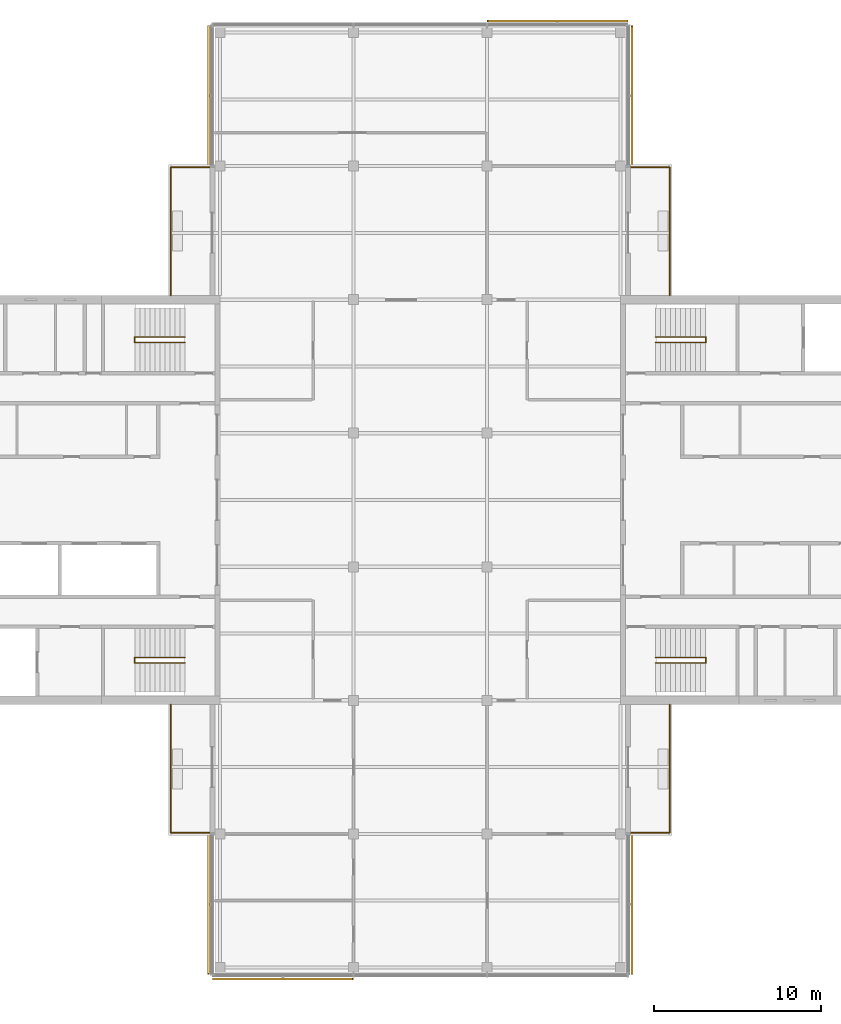
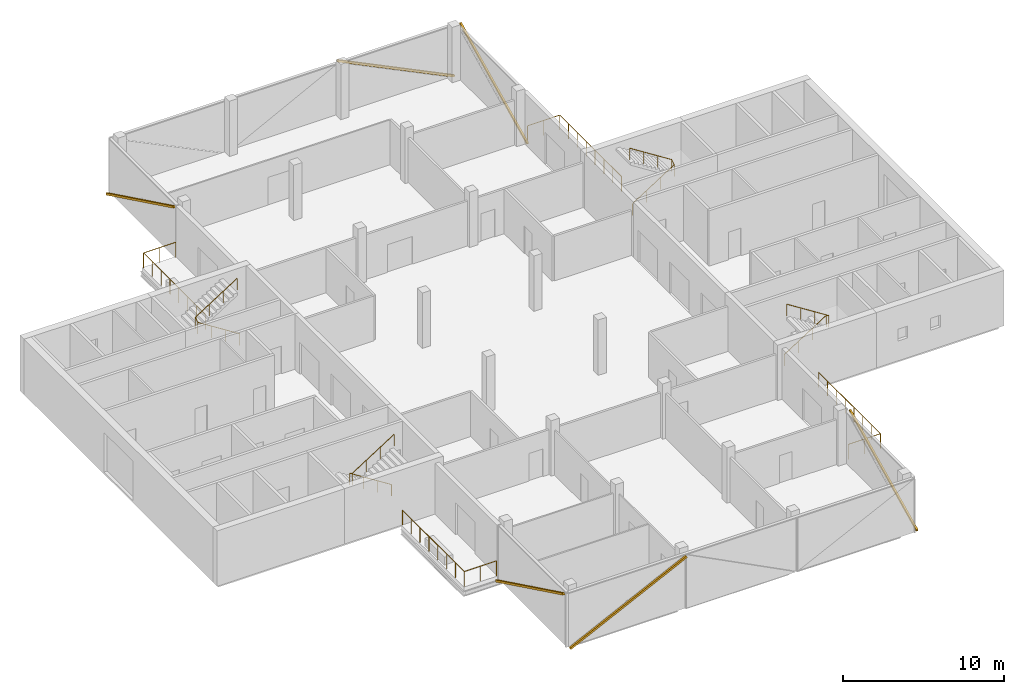
# One storey, part 11 of 11: 8 railings, 6 shading devices, 6 elements without a shape of their own.
"""IFC4 building model written with IfcOpenShell, lengths in metres."""

from ifc_helpers import new_model, si_unit, direction, frame, origin, origin_2d, place, context, subcontext, project, spatial, rectangle, circle, extrude, material, material_profile, profile_set, type_object, element, aggregate, save


model = new_model("IFC4")

# Units and contexts
model_context = context("Model", 3, precision=1e-05, world=origin(), true_north=direction((0.0, 1.0)))
body_context = subcontext(model_context, "Body", "Model", "MODEL_VIEW")
ifc_project = project(units=[si_unit("LENGTHUNIT", "METRE"), si_unit("AREAUNIT", "SQUARE_METRE"), si_unit("VOLUMEUNIT", "CUBIC_METRE"), si_unit("PLANEANGLEUNIT", "RADIAN"), si_unit("MASSUNIT", "GRAM", prefix="KILO")], contexts=[model_context])

# Site, building, storey
site_placement = place(None, origin())
site = spatial("IfcSite", under=ifc_project, at=site_placement, CompositionType="ELEMENT")
building_placement = place(site_placement, origin())
building = spatial("IfcBuilding", under=site, at=building_placement, Name="Crosswind Convention Tower", CompositionType="ELEMENT")
storey_placement = place(building_placement, frame((0.0, 0.0, 344.89990234375)))
storey = spatial("IfcBuildingStorey", under=building, at=storey_placement, Name="L75", CompositionType="ELEMENT", Elevation=344.89990234375)

# Railings
ifc_material_1 = material(Name="Steel and laminated glass balustrade", Category="steel")
railing_type_1 = type_object("IfcRailingType", Name="BALCONY BALUSTRADE 1150", PredefinedType="BALUSTRADE", material=ifc_material_1)
railing_1_placement = place(storey_placement, frame((139.93994140625, 112.25, 0.0)))
element("IfcRailing", 1, at=railing_1_placement, inside=storey, type_object=railing_type_1, Name="R11 winter garden balustrade L75 N-E.1-1", PredefinedType="BALUSTRADE", context=body_context, shape_type="SweptSolid", body=[
    extrude(circle(Radius=0.02392578125, at=origin_2d()), frame((0.0, 0.0, 1.1259765625), z_axis=(0.0, 1.0, 0.0), x_axis=(-1.0, 0.0, 0.0)), (0.0, 0.0, 1.0), 7.68994140625),
    extrude(circle(Radius=0.02392578125, at=origin_2d()), frame((0.0, 7.68994140625, 1.1259765625), z_axis=(-1.0, 0.0, 0.0), x_axis=(0.0, -1.0, 0.0)), (0.0, 0.0, 1.0), 2.31884765625),
    extrude(circle(Radius=0.02099609375, at=origin_2d()), origin(), (0.0, 0.0, 1.0), 1.101806640625),
    extrude(circle(Radius=0.02099609375, at=origin_2d()), frame((0.0, 1.0986328125, 0.0)), (0.0, 0.0, 1.0), 1.101806640625),
    extrude(circle(Radius=0.02099609375, at=origin_2d()), frame((0.0, 2.197021484375, 0.0)), (0.0, 0.0, 1.0), 1.101806640625),
    extrude(circle(Radius=0.02099609375, at=origin_2d()), frame((0.0, 3.295654296875, 0.0)), (0.0, 0.0, 1.0), 1.101806640625),
    extrude(circle(Radius=0.02099609375, at=origin_2d()), frame((0.0, 4.394287109375, 0.0)), (0.0, 0.0, 1.0), 1.101806640625),
    extrude(circle(Radius=0.02099609375, at=origin_2d()), frame((0.0, 5.492919921875, 0.0)), (0.0, 0.0, 1.0), 1.101806640625),
    extrude(circle(Radius=0.02099609375, at=origin_2d()), frame((0.0, 6.59130859375, 0.0)), (0.0, 0.0, 1.0), 1.101806640625),
    extrude(circle(Radius=0.02099609375, at=origin_2d()), frame((0.0, 7.68994140625, 0.0)), (0.0, 0.0, 1.0), 1.101806640625),
    extrude(circle(Radius=0.02099609375, at=origin_2d()), frame((-1.159423828125, 7.68994140625, 0.0)), (0.0, 0.0, 1.0), 1.101806640625),
    extrude(circle(Radius=0.02099609375, at=origin_2d()), frame((-2.31884765625, 7.68994140625, 0.0)), (0.0, 0.0, 1.0), 1.101806640625),
])
railing_2_placement = place(storey_placement, frame((110.06005859375, 112.25, 0.0)))
element("IfcRailing", 2, at=railing_2_placement, inside=storey, type_object=railing_type_1, Name="R11 winter garden balustrade L75 N-W.1-2", PredefinedType="BALUSTRADE", context=body_context, shape_type="SweptSolid", body=[
    extrude(circle(Radius=0.02392578125, at=origin_2d()), frame((0.0, 0.0, 1.1259765625), z_axis=(0.0, 1.0, 0.0), x_axis=(-1.0, 0.0, 0.0)), (0.0, 0.0, 1.0), 7.68994140625),
    extrude(circle(Radius=0.02392578125, at=origin_2d()), frame((0.0, 7.68994140625, 1.1259765625), z_axis=(1.0, 0.0, 0.0), x_axis=(0.0, 1.0, 0.0)), (0.0, 0.0, 1.0), 2.31884765625),
    extrude(circle(Radius=0.02099609375, at=origin_2d()), origin(), (0.0, 0.0, 1.0), 1.101806640625),
    extrude(circle(Radius=0.02099609375, at=origin_2d()), frame((0.0, 1.0986328125, 0.0)), (0.0, 0.0, 1.0), 1.101806640625),
    extrude(circle(Radius=0.02099609375, at=origin_2d()), frame((0.0, 2.197021484375, 0.0)), (0.0, 0.0, 1.0), 1.101806640625),
    extrude(circle(Radius=0.02099609375, at=origin_2d()), frame((0.0, 3.295654296875, 0.0)), (0.0, 0.0, 1.0), 1.101806640625),
    extrude(circle(Radius=0.02099609375, at=origin_2d()), frame((0.0, 4.394287109375, 0.0)), (0.0, 0.0, 1.0), 1.101806640625),
    extrude(circle(Radius=0.02099609375, at=origin_2d()), frame((0.0, 5.492919921875, 0.0)), (0.0, 0.0, 1.0), 1.101806640625),
    extrude(circle(Radius=0.02099609375, at=origin_2d()), frame((0.0, 6.59130859375, 0.0)), (0.0, 0.0, 1.0), 1.101806640625),
    extrude(circle(Radius=0.02099609375, at=origin_2d()), frame((0.0, 7.68994140625, 0.0)), (0.0, 0.0, 1.0), 1.101806640625),
    extrude(circle(Radius=0.02099609375, at=origin_2d()), frame((1.159423828125, 7.68994140625, 0.0)), (0.0, 0.0, 1.0), 1.101806640625),
    extrude(circle(Radius=0.02099609375, at=origin_2d()), frame((2.31884765625, 7.68994140625, 0.0)), (0.0, 0.0, 1.0), 1.101806640625),
])
railing_3_placement = place(storey_placement, frame((110.06005859375, 87.75, 0.0)))
element("IfcRailing", 3, at=railing_3_placement, inside=storey, type_object=railing_type_1, Name="R11 winter garden balustrade L75 S-W.1-1", PredefinedType="BALUSTRADE", context=body_context, shape_type="SweptSolid", body=[
    extrude(circle(Radius=0.02392578125, at=origin_2d()), frame((0.0, 0.0, 1.1259765625), z_axis=(0.0, -1.0, 0.0), x_axis=(1.0, 0.0, 0.0)), (0.0, 0.0, 1.0), 7.68994140625),
    extrude(circle(Radius=0.02392578125, at=origin_2d()), frame((0.0, -7.68994140625, 1.1259765625), z_axis=(1.0, 0.0, 0.0), x_axis=(0.0, 1.0, 0.0)), (0.0, 0.0, 1.0), 2.31884765625),
    extrude(circle(Radius=0.02099609375, at=origin_2d()), origin(), (0.0, 0.0, 1.0), 1.101806640625),
    extrude(circle(Radius=0.02099609375, at=origin_2d()), frame((0.0, -1.0986328125, 0.0)), (0.0, 0.0, 1.0), 1.101806640625),
    extrude(circle(Radius=0.02099609375, at=origin_2d()), frame((0.0, -2.197021484375, 0.0)), (0.0, 0.0, 1.0), 1.101806640625),
    extrude(circle(Radius=0.02099609375, at=origin_2d()), frame((0.0, -3.295654296875, 0.0)), (0.0, 0.0, 1.0), 1.101806640625),
    extrude(circle(Radius=0.02099609375, at=origin_2d()), frame((0.0, -4.394287109375, 0.0)), (0.0, 0.0, 1.0), 1.101806640625),
    extrude(circle(Radius=0.02099609375, at=origin_2d()), frame((0.0, -5.492919921875, 0.0)), (0.0, 0.0, 1.0), 1.101806640625),
    extrude(circle(Radius=0.02099609375, at=origin_2d()), frame((0.0, -6.59130859375, 0.0)), (0.0, 0.0, 1.0), 1.101806640625),
    extrude(circle(Radius=0.02099609375, at=origin_2d()), frame((0.0, -7.68994140625, 0.0)), (0.0, 0.0, 1.0), 1.101806640625),
    extrude(circle(Radius=0.02099609375, at=origin_2d()), frame((1.159423828125, -7.68994140625, 0.0)), (0.0, 0.0, 1.0), 1.101806640625),
    extrude(circle(Radius=0.02099609375, at=origin_2d()), frame((2.31884765625, -7.68994140625, 0.0)), (0.0, 0.0, 1.0), 1.101806640625),
])
railing_4_placement = place(storey_placement, frame((139.93994140625, 87.75, 0.0)))
element("IfcRailing", 4, at=railing_4_placement, inside=storey, type_object=railing_type_1, Name="R11 winter garden balustrade L75 S-E.1-2", PredefinedType="BALUSTRADE", context=body_context, shape_type="SweptSolid", body=[
    extrude(circle(Radius=0.02392578125, at=origin_2d()), frame((0.0, 0.0, 1.1259765625), z_axis=(0.0, -1.0, 0.0), x_axis=(1.0, 0.0, 0.0)), (0.0, 0.0, 1.0), 7.68994140625),
    extrude(circle(Radius=0.02392578125, at=origin_2d()), frame((0.0, -7.68994140625, 1.1259765625), z_axis=(-1.0, 0.0, 0.0), x_axis=(0.0, -1.0, 0.0)), (0.0, 0.0, 1.0), 2.31884765625),
    extrude(circle(Radius=0.02099609375, at=origin_2d()), origin(), (0.0, 0.0, 1.0), 1.101806640625),
    extrude(circle(Radius=0.02099609375, at=origin_2d()), frame((0.0, -1.0986328125, 0.0)), (0.0, 0.0, 1.0), 1.101806640625),
    extrude(circle(Radius=0.02099609375, at=origin_2d()), frame((0.0, -2.197021484375, 0.0)), (0.0, 0.0, 1.0), 1.101806640625),
    extrude(circle(Radius=0.02099609375, at=origin_2d()), frame((0.0, -3.295654296875, 0.0)), (0.0, 0.0, 1.0), 1.101806640625),
    extrude(circle(Radius=0.02099609375, at=origin_2d()), frame((0.0, -4.394287109375, 0.0)), (0.0, 0.0, 1.0), 1.101806640625),
    extrude(circle(Radius=0.02099609375, at=origin_2d()), frame((0.0, -5.492919921875, 0.0)), (0.0, 0.0, 1.0), 1.101806640625),
    extrude(circle(Radius=0.02099609375, at=origin_2d()), frame((0.0, -6.59130859375, 0.0)), (0.0, 0.0, 1.0), 1.101806640625),
    extrude(circle(Radius=0.02099609375, at=origin_2d()), frame((0.0, -7.68994140625, 0.0)), (0.0, 0.0, 1.0), 1.101806640625),
    extrude(circle(Radius=0.02099609375, at=origin_2d()), frame((-1.159423828125, -7.68994140625, 0.0)), (0.0, 0.0, 1.0), 1.101806640625),
    extrude(circle(Radius=0.02099609375, at=origin_2d()), frame((-2.31884765625, -7.68994140625, 0.0)), (0.0, 0.0, 1.0), 1.101806640625),
])
ifc_material_2 = material(Name="Stainless steel", Category="steel")
railing_type_2 = type_object("IfcRailingType", Name="Stair handrail 900", PredefinedType="HANDRAIL", material=ifc_material_2)
railing_5_placement = place(storey_placement, frame((139.10009765625, 109.43994140625, 0.19091796875)))
element("IfcRailing", 5, at=railing_5_placement, inside=storey, type_object=railing_type_2, Name="Stair ST1 handrail L75", PredefinedType="HANDRAIL", context=body_context, shape_type="SweptSolid", body=[
    extrude(circle(Radius=0.02392578125, at=origin_2d()), frame((0.0, 0.0, 0.8759765625), z_axis=(0.843650179428, 0.0, 0.536893261973), x_axis=(0.0, 1.0, 0.0)), (0.0, 0.0, 1.0), 3.555908203125),
    extrude(circle(Radius=0.02392578125, at=origin_2d()), frame((3.0, 0.0, 2.78515625), z_axis=(0.0, 0.858819504967, 0.512278301208), x_axis=(-1.0, 0.0, 0.0)), (0.0, 0.0, 1.0), 0.372802734375),
    extrude(circle(Radius=0.02392578125, at=origin_2d()), frame((3.0, 0.320068359375, 2.97607421875), z_axis=(-0.843650179428, 0.0, 0.536893261973), x_axis=(0.0, -1.0, 0.0)), (0.0, 0.0, 1.0), 3.555908203125),
    extrude(circle(Radius=0.02099609375, at=origin_2d()), origin(), (0.0, 0.0, 1.0), 0.851806640625),
    extrude(circle(Radius=0.02099609375, at=origin_2d()), frame((1.0, 0.0, 0.636474609375)), (0.0, 0.0, 1.0), 0.851806640625),
    extrude(circle(Radius=0.02099609375, at=origin_2d()), frame((2.0, 0.0, 1.272705078125)), (0.0, 0.0, 1.0), 0.851806640625),
    extrude(circle(Radius=0.02099609375, at=origin_2d()), frame((3.0, 0.0, 1.9091796875)), (0.0, 0.0, 1.0), 0.851806640625),
    extrude(circle(Radius=0.02099609375, at=origin_2d()), frame((3.0, 0.320068359375, 2.10009765625)), (0.0, 0.0, 1.0), 0.851806640625),
    extrude(circle(Radius=0.02099609375, at=origin_2d()), frame((2.0, 0.320068359375, 2.736572265625)), (0.0, 0.0, 1.0), 0.851806640625),
    extrude(circle(Radius=0.02099609375, at=origin_2d()), frame((1.0, 0.320068359375, 3.372802734375)), (0.0, 0.0, 1.0), 0.851806640625),
    extrude(circle(Radius=0.02099609375, at=origin_2d()), frame((0.0, 0.320068359375, 4.00927734375)), (0.0, 0.0, 1.0), 0.851806640625),
])
railing_6_placement = place(storey_placement, frame((139.10009765625, 90.56005859375, 0.19091796875)))
element("IfcRailing", 6, at=railing_6_placement, inside=storey, type_object=railing_type_2, Name="Stair ST2 handrail L75", PredefinedType="HANDRAIL", context=body_context, shape_type="SweptSolid", body=[
    extrude(circle(Radius=0.02392578125, at=origin_2d()), frame((0.0, 0.0, 0.8759765625), z_axis=(0.843650179428, 0.0, 0.536893261973), x_axis=(0.0, 1.0, 0.0)), (0.0, 0.0, 1.0), 3.555908203125),
    extrude(circle(Radius=0.02392578125, at=origin_2d()), frame((3.0, 0.0, 2.78515625), z_axis=(0.0, -0.858819504967, 0.512278301208), x_axis=(1.0, 0.0, 0.0)), (0.0, 0.0, 1.0), 0.372802734375),
    extrude(circle(Radius=0.02392578125, at=origin_2d()), frame((3.0, -0.320068359375, 2.97607421875), z_axis=(-0.843650179428, 0.0, 0.536893261973), x_axis=(0.0, -1.0, 0.0)), (0.0, 0.0, 1.0), 3.555908203125),
    extrude(circle(Radius=0.02099609375, at=origin_2d()), origin(), (0.0, 0.0, 1.0), 0.851806640625),
    extrude(circle(Radius=0.02099609375, at=origin_2d()), frame((1.0, 0.0, 0.636474609375)), (0.0, 0.0, 1.0), 0.851806640625),
    extrude(circle(Radius=0.02099609375, at=origin_2d()), frame((2.0, 0.0, 1.272705078125)), (0.0, 0.0, 1.0), 0.851806640625),
    extrude(circle(Radius=0.02099609375, at=origin_2d()), frame((3.0, 0.0, 1.9091796875)), (0.0, 0.0, 1.0), 0.851806640625),
    extrude(circle(Radius=0.02099609375, at=origin_2d()), frame((3.0, -0.320068359375, 2.10009765625)), (0.0, 0.0, 1.0), 0.851806640625),
    extrude(circle(Radius=0.02099609375, at=origin_2d()), frame((2.0, -0.320068359375, 2.736572265625)), (0.0, 0.0, 1.0), 0.851806640625),
    extrude(circle(Radius=0.02099609375, at=origin_2d()), frame((1.0, -0.320068359375, 3.372802734375)), (0.0, 0.0, 1.0), 0.851806640625),
    extrude(circle(Radius=0.02099609375, at=origin_2d()), frame((0.0, -0.320068359375, 4.00927734375)), (0.0, 0.0, 1.0), 0.851806640625),
])
railing_7_placement = place(storey_placement, frame((110.89990234375, 90.56005859375, 0.19091796875)))
element("IfcRailing", 7, at=railing_7_placement, inside=storey, type_object=railing_type_2, Name="Stair ST3 handrail L75", PredefinedType="HANDRAIL", context=body_context, shape_type="SweptSolid", body=[
    extrude(circle(Radius=0.02392578125, at=origin_2d()), frame((0.0, 0.0, 0.8759765625), z_axis=(-0.843650179428, 0.0, 0.536893261973), x_axis=(0.0, -1.0, 0.0)), (0.0, 0.0, 1.0), 3.555908203125),
    extrude(circle(Radius=0.02392578125, at=origin_2d()), frame((-3.0, 0.0, 2.78515625), z_axis=(0.0, -0.858819504967, 0.512278301208), x_axis=(1.0, 0.0, 0.0)), (0.0, 0.0, 1.0), 0.372802734375),
    extrude(circle(Radius=0.02392578125, at=origin_2d()), frame((-3.0, -0.320068359375, 2.97607421875), z_axis=(0.843650179428, 0.0, 0.536893261973), x_axis=(0.0, 1.0, 0.0)), (0.0, 0.0, 1.0), 3.555908203125),
    extrude(circle(Radius=0.02099609375, at=origin_2d()), origin(), (0.0, 0.0, 1.0), 0.851806640625),
    extrude(circle(Radius=0.02099609375, at=origin_2d()), frame((-1.0, 0.0, 0.636474609375)), (0.0, 0.0, 1.0), 0.851806640625),
    extrude(circle(Radius=0.02099609375, at=origin_2d()), frame((-2.0, 0.0, 1.272705078125)), (0.0, 0.0, 1.0), 0.851806640625),
    extrude(circle(Radius=0.02099609375, at=origin_2d()), frame((-3.0, 0.0, 1.9091796875)), (0.0, 0.0, 1.0), 0.851806640625),
    extrude(circle(Radius=0.02099609375, at=origin_2d()), frame((-3.0, -0.320068359375, 2.10009765625)), (0.0, 0.0, 1.0), 0.851806640625),
    extrude(circle(Radius=0.02099609375, at=origin_2d()), frame((-2.0, -0.320068359375, 2.736572265625)), (0.0, 0.0, 1.0), 0.851806640625),
    extrude(circle(Radius=0.02099609375, at=origin_2d()), frame((-1.0, -0.320068359375, 3.372802734375)), (0.0, 0.0, 1.0), 0.851806640625),
    extrude(circle(Radius=0.02099609375, at=origin_2d()), frame((0.0, -0.320068359375, 4.00927734375)), (0.0, 0.0, 1.0), 0.851806640625),
])
railing_8_placement = place(storey_placement, frame((110.89990234375, 109.43994140625, 0.19091796875)))
element("IfcRailing", 8, at=railing_8_placement, inside=storey, type_object=railing_type_2, Name="Stair ST4 handrail L75", PredefinedType="HANDRAIL", context=body_context, shape_type="SweptSolid", body=[
    extrude(circle(Radius=0.02392578125, at=origin_2d()), frame((0.0, 0.0, 0.8759765625), z_axis=(-0.843650179428, 0.0, 0.536893261973), x_axis=(0.0, -1.0, 0.0)), (0.0, 0.0, 1.0), 3.555908203125),
    extrude(circle(Radius=0.02392578125, at=origin_2d()), frame((-3.0, 0.0, 2.78515625), z_axis=(0.0, 0.858819504967, 0.512278301208), x_axis=(-1.0, 0.0, 0.0)), (0.0, 0.0, 1.0), 0.372802734375),
    extrude(circle(Radius=0.02392578125, at=origin_2d()), frame((-3.0, 0.320068359375, 2.97607421875), z_axis=(0.843650179428, 0.0, 0.536893261973), x_axis=(0.0, 1.0, 0.0)), (0.0, 0.0, 1.0), 3.555908203125),
    extrude(circle(Radius=0.02099609375, at=origin_2d()), origin(), (0.0, 0.0, 1.0), 0.851806640625),
    extrude(circle(Radius=0.02099609375, at=origin_2d()), frame((-1.0, 0.0, 0.636474609375)), (0.0, 0.0, 1.0), 0.851806640625),
    extrude(circle(Radius=0.02099609375, at=origin_2d()), frame((-2.0, 0.0, 1.272705078125)), (0.0, 0.0, 1.0), 0.851806640625),
    extrude(circle(Radius=0.02099609375, at=origin_2d()), frame((-3.0, 0.0, 1.9091796875)), (0.0, 0.0, 1.0), 0.851806640625),
    extrude(circle(Radius=0.02099609375, at=origin_2d()), frame((-3.0, 0.320068359375, 2.10009765625)), (0.0, 0.0, 1.0), 0.851806640625),
    extrude(circle(Radius=0.02099609375, at=origin_2d()), frame((-2.0, 0.320068359375, 2.736572265625)), (0.0, 0.0, 1.0), 0.851806640625),
    extrude(circle(Radius=0.02099609375, at=origin_2d()), frame((-1.0, 0.320068359375, 3.372802734375)), (0.0, 0.0, 1.0), 0.851806640625),
    extrude(circle(Radius=0.02099609375, at=origin_2d()), frame((0.0, 0.320068359375, 4.00927734375)), (0.0, 0.0, 1.0), 0.851806640625),
])

# Curtain wall, shading device
ifc_material_3 = material(Name="Aluminium unitised curtain wall", Category="aluminium")
curtain_wall_type = type_object("IfcCurtainWallType", Name="SKY LOBBY AND LOUNGE WALL 280", PredefinedType="USERDEFINED", material=ifc_material_3)
curtain_wall_1_placement = place(storey_placement, origin())
curtain_wall_1 = element("IfcCurtainWall", 9, at=curtain_wall_1_placement, inside=storey, type_object=curtain_wall_type, Name="CW4 L75 N-E 1", ObjectType="UNITISED", PredefinedType="USERDEFINED")
ifc_material_4 = material(Name="Extruded terracotta", Category="masonry")
ifc_material_profile = material_profile(ifc_material_4, rectangle(XDim=0.1298828125, YDim=0.14990234375, at=origin_2d()), Name="TC 130X150")
ifc_profile_set = profile_set([ifc_material_profile], Name="Extruded terracotta")
shading_device_type = type_object("IfcShadingDeviceType", Name="TERRACOTTA BAGUETTE 150X130", PredefinedType="USERDEFINED", material=ifc_profile_set)
shading_device_1_placement = place(storey_placement, frame((137.68701171875, 120.03759765625, -0.2998046875), z_axis=(0.0, 0.899002583295, 0.437943324221), x_axis=(-1.0, 0.0, 0.0)))
shading_device_1 = element("IfcShadingDevice", 10, at=shading_device_1_placement, type_object=shading_device_type, Name="CW4 terracotta baguette 1", ObjectType="BAGUETTE", PredefinedType="USERDEFINED", context=body_context, shape_type="SweptSolid", body=[
    extrude(rectangle(XDim=0.1298828125, YDim=0.14990234375, at=origin_2d()), origin(), (0.0, 0.0, 1.0), 9.3046875),
])
aggregate(curtain_wall_1, [shading_device_1])

curtain_wall_2_placement = place(storey_placement, origin())
curtain_wall_2 = element("IfcCurtainWall", 11, at=curtain_wall_2_placement, inside=storey, type_object=curtain_wall_type, Name="CW4 L75 N-TIP 1", ObjectType="UNITISED", PredefinedType="USERDEFINED")
shading_device_2_placement = place(storey_placement, frame((137.402587890625, 128.68701171875, -0.2998046875), z_axis=(-0.899002583295, 0.0, 0.437943324221), x_axis=(0.0, -1.0, 0.0)))
shading_device_2 = element("IfcShadingDevice", 12, at=shading_device_2_placement, type_object=shading_device_type, Name="CW4 terracotta baguette 1", ObjectType="BAGUETTE", PredefinedType="USERDEFINED", context=body_context, shape_type="SweptSolid", body=[
    extrude(rectangle(XDim=0.1298828125, YDim=0.14990234375, at=origin_2d()), origin(), (0.0, 0.0, 1.0), 9.3046875),
])
aggregate(curtain_wall_2, [shading_device_2])

curtain_wall_3_placement = place(storey_placement, origin())
curtain_wall_3 = element("IfcCurtainWall", 13, at=curtain_wall_3_placement, inside=storey, type_object=curtain_wall_type, Name="CW4 L75 N-W 1", ObjectType="UNITISED", PredefinedType="USERDEFINED")
shading_device_3_placement = place(storey_placement, frame((112.31298828125, 128.402587890625, -0.2998046875), z_axis=(0.0, -0.899002583295, 0.437943324221), x_axis=(1.0, 0.0, 0.0)))
shading_device_3 = element("IfcShadingDevice", 14, at=shading_device_3_placement, type_object=shading_device_type, Name="CW4 terracotta baguette 1", ObjectType="BAGUETTE", PredefinedType="USERDEFINED", context=body_context, shape_type="SweptSolid", body=[
    extrude(rectangle(XDim=0.1298828125, YDim=0.14990234375, at=origin_2d()), origin(), (0.0, 0.0, 1.0), 9.3046875),
])
aggregate(curtain_wall_3, [shading_device_3])

curtain_wall_4_placement = place(storey_placement, origin())
curtain_wall_4 = element("IfcCurtainWall", 15, at=curtain_wall_4_placement, inside=storey, type_object=curtain_wall_type, Name="CW4 L75 S-W 1", ObjectType="UNITISED", PredefinedType="USERDEFINED")
shading_device_4_placement = place(storey_placement, frame((112.31298828125, 79.96240234375, -0.2998046875), z_axis=(0.0, -0.899002583295, 0.437943324221), x_axis=(1.0, 0.0, 0.0)))
shading_device_4 = element("IfcShadingDevice", 16, at=shading_device_4_placement, type_object=shading_device_type, Name="CW4 terracotta baguette 1", ObjectType="BAGUETTE", PredefinedType="USERDEFINED", context=body_context, shape_type="SweptSolid", body=[
    extrude(rectangle(XDim=0.1298828125, YDim=0.14990234375, at=origin_2d()), origin(), (0.0, 0.0, 1.0), 9.3046875),
])
aggregate(curtain_wall_4, [shading_device_4])

curtain_wall_5_placement = place(storey_placement, origin())
curtain_wall_5 = element("IfcCurtainWall", 17, at=curtain_wall_5_placement, inside=storey, type_object=curtain_wall_type, Name="CW4 L75 S-TIP 1", ObjectType="UNITISED", PredefinedType="USERDEFINED")
shading_device_5_placement = place(storey_placement, frame((112.597412109375, 71.31298828125, -0.2998046875), z_axis=(0.899002583295, 0.0, 0.437943324221), x_axis=(0.0, 1.0, 0.0)))
shading_device_5 = element("IfcShadingDevice", 18, at=shading_device_5_placement, type_object=shading_device_type, Name="CW4 terracotta baguette 1", ObjectType="BAGUETTE", PredefinedType="USERDEFINED", context=body_context, shape_type="SweptSolid", body=[
    extrude(rectangle(XDim=0.1298828125, YDim=0.14990234375, at=origin_2d()), origin(), (0.0, 0.0, 1.0), 9.3046875),
])
aggregate(curtain_wall_5, [shading_device_5])

curtain_wall_6_placement = place(storey_placement, origin())
curtain_wall_6 = element("IfcCurtainWall", 19, at=curtain_wall_6_placement, inside=storey, type_object=curtain_wall_type, Name="CW4 L75 S-E 1", ObjectType="UNITISED", PredefinedType="USERDEFINED")
shading_device_6_placement = place(storey_placement, frame((137.68701171875, 71.597412109375, -0.2998046875), z_axis=(0.0, 0.899002583295, 0.437943324221), x_axis=(-1.0, 0.0, 0.0)))
shading_device_6 = element("IfcShadingDevice", 20, at=shading_device_6_placement, type_object=shading_device_type, Name="CW4 terracotta baguette 1", ObjectType="BAGUETTE", PredefinedType="USERDEFINED", context=body_context, shape_type="SweptSolid", body=[
    extrude(rectangle(XDim=0.1298828125, YDim=0.14990234375, at=origin_2d()), origin(), (0.0, 0.0, 1.0), 9.3046875),
])
aggregate(curtain_wall_6, [shading_device_6])

save(model, "model.ifc")
